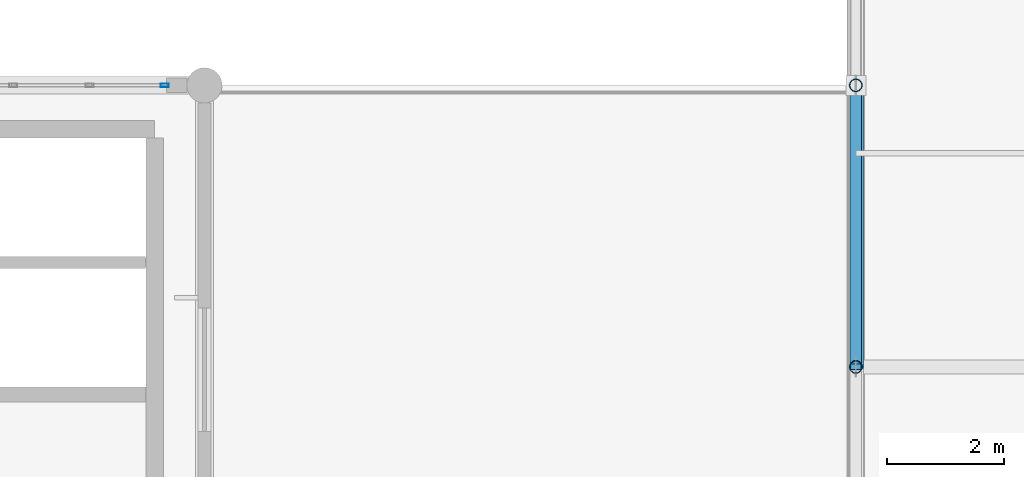
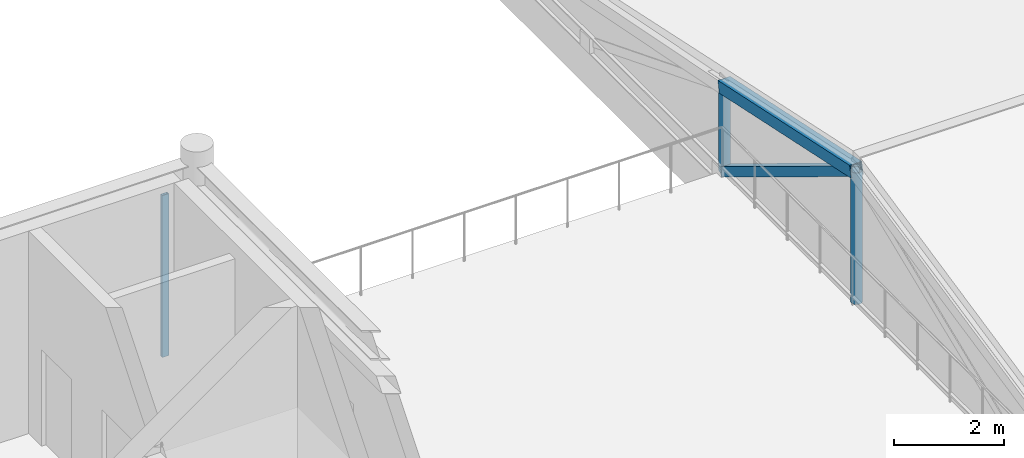
# One storey, part 23 of 61: 5 members, 1 element without a shape of its own.
"""IFC4 building model written with IfcOpenShell, lengths in metres."""

from ifc_helpers import new_model, si_unit, direction, frame, origin, origin_2d, place, context, subcontext, project, spatial, hollow_rectangle, hollow_circle, extrude, material, layer, layer_set, material_profile, profile_set, type_object, element, aggregate, save


model = new_model("IFC4")

# Units and contexts
model_context = context("Model", 3, precision=1e-05, world=origin(), true_north=direction((0.0, 1.0)))
body_context = subcontext(model_context, "Body", "Model", "MODEL_VIEW")
ifc_project = project(units=[si_unit("LENGTHUNIT", "METRE"), si_unit("AREAUNIT", "SQUARE_METRE"), si_unit("VOLUMEUNIT", "CUBIC_METRE"), si_unit("PLANEANGLEUNIT", "RADIAN"), si_unit("MASSUNIT", "GRAM", prefix="KILO")], contexts=[model_context])

# Site, building, storey
site_placement = place(None, origin())
site = spatial("IfcSite", under=ifc_project, at=site_placement, CompositionType="ELEMENT")
building_placement = place(site_placement, origin())
building = spatial("IfcBuilding", under=site, at=building_placement, Name="Fikremerkos Civic Library", CompositionType="ELEMENT")
storey_placement = place(building_placement, frame((0.0, 0.0, 14.39990234375)))
storey = spatial("IfcBuildingStorey", under=building, at=storey_placement, Name="L03", CompositionType="ELEMENT", Elevation=14.39990234375)

# Curtain wall, member
ifc_material_1 = material(Name="Anodized aluminium Frame", Category="aluminium")
ifc_layer = layer(ifc_material_1, 0.159912109375, Name="Anodized aluminium Frame")
ifc_layer_set = layer_set([ifc_layer], Name="Anodized aluminium Frame")
curtain_wall_type = type_object("IfcCurtainWallType", Name="Unitised curtain wall CW-11 3200x3400", PredefinedType="USERDEFINED", material=ifc_layer_set)
curtain_wall_placement = place(storey_placement, origin())
curtain_wall = element("IfcCurtainWall", 1, at=curtain_wall_placement, inside=storey, type_object=curtain_wall_type, Name="Unitised curtain wall CW-11 L03 #209", ObjectType="UNITISED CURTAIN WALL", PredefinedType="USERDEFINED")
ifc_material_profile_1 = material_profile(ifc_material_1, hollow_rectangle(XDim=0.06005859375, YDim=0.139892578125, WallThickness=0.00390625, at=origin_2d()), Name="ALU 140x60x4")
ifc_profile_set_1 = profile_set([ifc_material_profile_1], Name="Anodized aluminium Frame")
member_type_1 = type_object("IfcMemberType", Name="Curtain mullion CWM-03 ALU 140x60x4", PredefinedType="MULLION", material=ifc_profile_set_1)
member_1_placement = place(storey_placement, frame((113.02197265625, 31.199951171875, 0.0), z_axis=(0.0, 0.0, 1.0), x_axis=(0.0, 1.0, 0.0)))
member_1 = element("IfcMember", 2, at=member_1_placement, type_object=member_type_1, Name="CW-11 mullion 4", PredefinedType="MULLION", context=body_context, shape_type="SweptSolid", body=[
    extrude(hollow_rectangle(XDim=0.06005859375, YDim=0.139892578125, WallThickness=0.00390625, at=origin_2d()), origin(), (0.0, 0.0, 1.0), 3.60009765625),
])
aggregate(curtain_wall, [member_1])

# Members
ifc_material_2 = material(Name="Steel S355", Category="steel")
ifc_material_profile_2 = material_profile(ifc_material_2, hollow_rectangle(XDim=0.199951171875, YDim=0.199951171875, WallThickness=0.010009765625, at=origin_2d()), Name="SHS 200x200x10")
ifc_profile_set_2 = profile_set([ifc_material_profile_2], Name="Steel S355")
member_type_2 = type_object("IfcMemberType", Name="Diagonal brace BRC-02 SHS 200x200x10", PredefinedType="BRACE", material=ifc_profile_set_2)
member_2_placement = place(storey_placement, frame((124.800048828125, 31.199951171875, 0.0), z_axis=(0.0, -0.854267348714, 0.519833912823), x_axis=(1.0, 0.0, 0.0)))
element("IfcMember", 3, at=member_2_placement, inside=storey, type_object=member_type_2, Name="Auditorium roof truss diagonal web BRC-02 X=124.8 #3", PredefinedType="BRACE", context=body_context, shape_type="SweptSolid", body=[
    extrude(hollow_rectangle(XDim=0.199951171875, YDim=0.199951171875, WallThickness=0.010009765625, at=origin_2d()), origin(), (0.0, 0.0, 1.0), 5.618896484375),
])
ifc_material_profile_3 = material_profile(ifc_material_2, hollow_circle(Radius=0.109619140625, WallThickness=0.010009765625, at=origin_2d()), Name="CHS 219.1x10")
ifc_profile_set_3 = profile_set([ifc_material_profile_3], Name="Steel S355")
member_type_3 = type_object("IfcMemberType", Name="Frame post PST-03 CHS 219.1x10", PredefinedType="POST", material=ifc_profile_set_3)
member_3_placement = place(storey_placement, frame((124.800048828125, 26.39990234375, 0.0), z_axis=(0.0, 0.0, 1.0), x_axis=(1.0, 0.0, 0.0)))
element("IfcMember", 4, at=member_3_placement, inside=storey, type_object=member_type_3, Name="Auditorium roof truss vertical web PST-03 X=124.8 #2", PredefinedType="POST", context=body_context, shape_type="SweptSolid", body=[
    extrude(hollow_circle(Radius=0.109619140625, WallThickness=0.010009765625, at=origin_2d()), origin(), (0.0, 0.0, 1.0), 2.9208984375),
])
member_4_placement = place(storey_placement, frame((124.800048828125, 31.199951171875, 0.0), z_axis=(0.0, 0.0, 1.0), x_axis=(1.0, 0.0, 0.0)))
element("IfcMember", 5, at=member_4_placement, inside=storey, type_object=member_type_3, Name="Auditorium roof truss vertical web PST-03 X=124.8 #3", PredefinedType="POST", context=body_context, shape_type="SweptSolid", body=[
    extrude(hollow_circle(Radius=0.109619140625, WallThickness=0.010009765625, at=origin_2d()), origin(), (0.0, 0.0, 1.0), 1.900634765625),
])
ifc_material_profile_4 = material_profile(ifc_material_2, hollow_rectangle(XDim=0.260009765625, YDim=0.260009765625, WallThickness=0.01416015625, at=origin_2d()), Name="SHS 260x260x14.2")
ifc_profile_set_4 = profile_set([ifc_material_profile_4], Name="Steel S355")
member_type_4 = type_object("IfcMemberType", Name="Truss chord CHD-03 SHS 260x260x14.2", PredefinedType="CHORD", material=ifc_profile_set_4)
member_5_placement = place(storey_placement, frame((124.800048828125, 26.39990234375, 2.9208984375), z_axis=(0.0, 0.978148355094, -0.2079081418), x_axis=(-1.0, 0.0, 0.0)))
element("IfcMember", 6, at=member_5_placement, inside=storey, type_object=member_type_4, Name="Auditorium roof truss top chord CHD-03 X=124.8 #3", PredefinedType="CHORD", context=body_context, shape_type="SweptSolid", body=[
    extrude(hollow_rectangle(XDim=0.260009765625, YDim=0.260009765625, WallThickness=0.01416015625, at=origin_2d()), origin(), (0.0, 0.0, 1.0), 4.9072265625),
])

save(model, "model.ifc")
